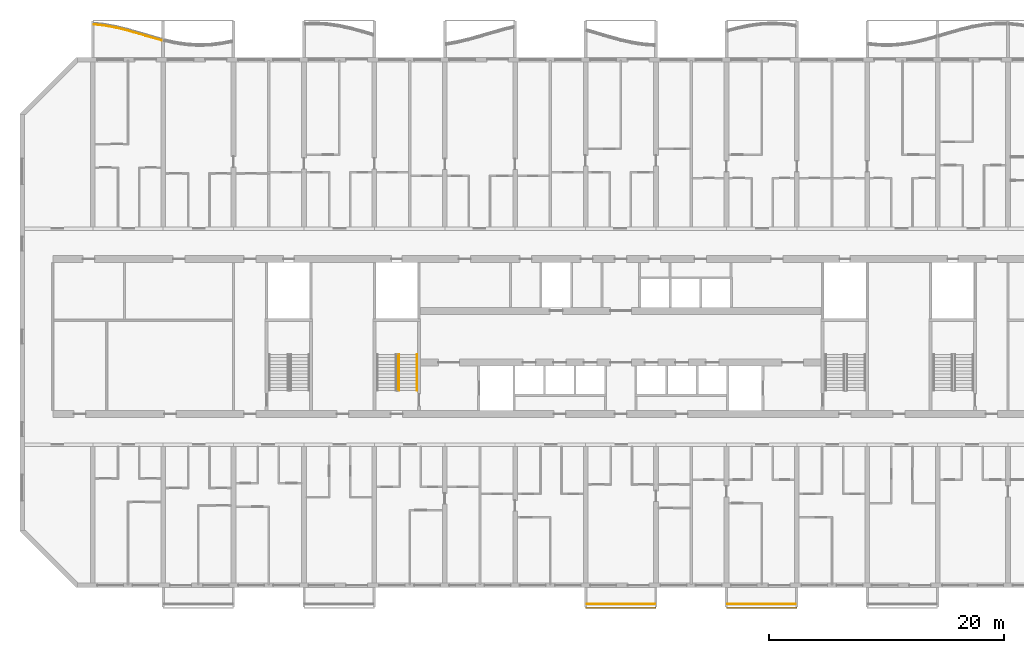
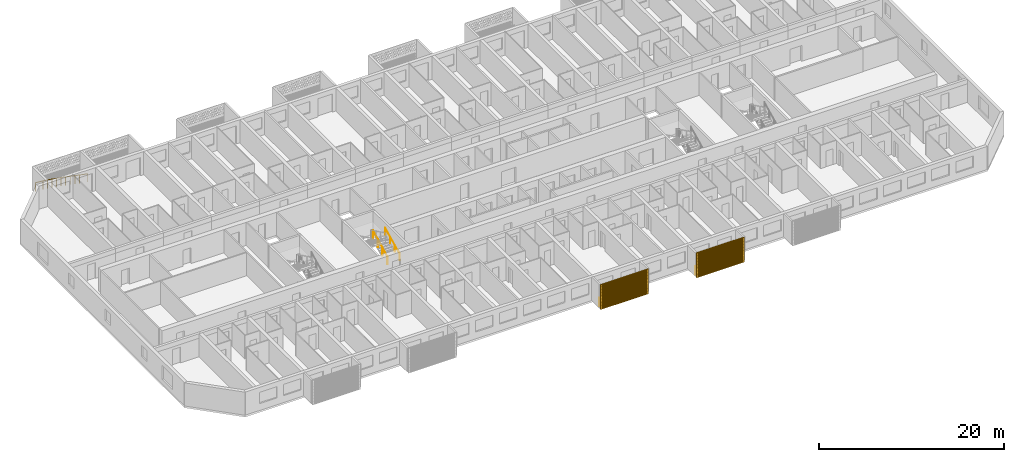
# One storey, part 20 of 40: 5 railings, 2 shading devices.
"""IFC4 building model written with IfcOpenShell, lengths in metres."""

from ifc_helpers import new_model, si_unit, direction, frame, origin, origin_2d, place, context, subcontext, project, spatial, polyline, circle, outline, extrude, source, transform, mapped, material, material_profile, profile_set, type_object, element, save


model = new_model("IFC4")

# Units and contexts
model_context = context("Model", 3, precision=1e-05, world=origin(), true_north=direction((0.0, 1.0)))
body_context = subcontext(model_context, "Body", "Model", "MODEL_VIEW")
ifc_project = project(units=[si_unit("LENGTHUNIT", "METRE"), si_unit("AREAUNIT", "SQUARE_METRE"), si_unit("VOLUMEUNIT", "CUBIC_METRE"), si_unit("PLANEANGLEUNIT", "RADIAN"), si_unit("MASSUNIT", "GRAM", prefix="KILO")], contexts=[model_context])

# Site, building, storey
site_placement = place(None, origin())
site = spatial("IfcSite", under=ifc_project, at=site_placement, CompositionType="ELEMENT")
building_placement = place(site_placement, origin())
building = spatial("IfcBuilding", under=site, at=building_placement, Name="Poui Terraces", CompositionType="ELEMENT")
storey_placement = place(building_placement, frame((0.0, 0.0, 39.89990234375)))
storey = spatial("IfcBuildingStorey", under=building, at=storey_placement, Name="L10", CompositionType="ELEMENT", Elevation=39.89990234375)

# Railings
ifc_material_1 = material(Name="Painted steel fretwork", Category="steel")
railing_type_1 = type_object("IfcRailingType", Name="BALCONY GUARD 1100", PredefinedType="GUARDRAIL", material=ifc_material_1)
railing_1_placement = place(storey_placement, frame((6.125, 47.7958984375, 0.0)))
element("IfcRailing", 1, at=railing_1_placement, inside=storey, type_object=railing_type_1, Name="BALCONY GUARD", PredefinedType="GUARDRAIL", context=body_context, shape_type="SweptSolid", body=[
    extrude(circle(Radius=0.02392578125, at=origin_2d()), frame((0.0, 0.0, 1.076171875), z_axis=(0.99430915392, -0.106533123634, 0.0), x_axis=(0.106533123634, 0.99430915392, 0.0)), (0.0, 0.0, 1.0), 0.880126953125),
    extrude(circle(Radius=0.02392578125, at=origin_2d()), frame((0.875, -0.09375, 1.076171875), z_axis=(0.983390092547, -0.181504616691, 0.0), x_axis=(0.181504616691, 0.983390092547, 0.0)), (0.0, 0.0, 1.0), 1.016845703125),
    extrude(circle(Radius=0.02392578125, at=origin_2d()), frame((1.875, -0.2783203125, 1.076171875), z_axis=(0.970476070643, -0.241197421854, 0.0), x_axis=(0.241197421854, 0.970476070643, 0.0)), (0.0, 0.0, 1.0), 1.030517578125),
    extrude(circle(Radius=0.02392578125, at=origin_2d()), frame((2.875, -0.52685546875, 1.076171875), z_axis=(0.961106681232, -0.276177383743, 0.0), x_axis=(0.276177383743, 0.961106681232, 0.0)), (0.0, 0.0, 1.0), 1.04052734375),
    extrude(circle(Radius=0.02392578125, at=origin_2d()), frame((3.875, -0.814208984375, 1.076171875), z_axis=(0.958901964879, -0.283737593123, 0.0), x_axis=(0.283737593123, 0.958901964879, 0.0)), (0.0, 0.0, 1.0), 1.04296875),
    extrude(circle(Radius=0.02392578125, at=origin_2d()), frame((4.875, -1.110107421875, 1.076171875), z_axis=(0.963694902628, -0.267005870064, 0.0), x_axis=(0.267005870064, 0.963694902628, 0.0)), (0.0, 0.0, 1.0), 0.907958984375),
    extrude(circle(Radius=0.02099609375, at=origin_2d()), origin(), (0.0, 0.0, 1.0), 1.052001953125),
    extrude(circle(Radius=0.02099609375, at=origin_2d()), frame((0.875, -0.09375, 0.0)), (0.0, 0.0, 1.0), 1.052001953125),
    extrude(circle(Radius=0.02099609375, at=origin_2d()), frame((1.375, -0.18603515625, 0.0)), (0.0, 0.0, 1.0), 1.052001953125),
    extrude(circle(Radius=0.02099609375, at=origin_2d()), frame((1.875, -0.2783203125, 0.0)), (0.0, 0.0, 1.0), 1.052001953125),
    extrude(circle(Radius=0.02099609375, at=origin_2d()), frame((2.375, -0.402587890625, 0.0)), (0.0, 0.0, 1.0), 1.052001953125),
    extrude(circle(Radius=0.02099609375, at=origin_2d()), frame((2.875, -0.52685546875, 0.0)), (0.0, 0.0, 1.0), 1.052001953125),
    extrude(circle(Radius=0.02099609375, at=origin_2d()), frame((3.375, -0.67041015625, 0.0)), (0.0, 0.0, 1.0), 1.052001953125),
    extrude(circle(Radius=0.02099609375, at=origin_2d()), frame((3.875, -0.814208984375, 0.0)), (0.0, 0.0, 1.0), 1.052001953125),
    extrude(circle(Radius=0.02099609375, at=origin_2d()), frame((4.375, -0.962158203125, 0.0)), (0.0, 0.0, 1.0), 1.052001953125),
    extrude(circle(Radius=0.02099609375, at=origin_2d()), frame((4.875, -1.110107421875, 0.0)), (0.0, 0.0, 1.0), 1.052001953125),
    extrude(circle(Radius=0.02099609375, at=origin_2d()), frame((5.75, -1.3525390625, 0.0)), (0.0, 0.0, 1.0), 1.052001953125),
])
for number, where, name in (
    (2, (48.10009765625, -1.570068359375, 0.0), "BALCONY GUARD"),
    (3, (60.10009765625, -1.570068359375, 0.0), "BALCONY GUARD"),
):
    element("IfcRailing", number, at=place(storey_placement, frame(where)), inside=storey, type_object=railing_type_1, Name=name, PredefinedType="GUARDRAIL", context=body_context, shape_type="SweptSolid", body=[
        extrude(circle(Radius=0.02392578125, at=origin_2d()), frame((0.0, 0.0, 1.076171875), z_axis=(1.0, 0.0, 0.0), x_axis=(0.0, 1.0, 0.0)), (0.0, 0.0, 1.0), 5.7998046875),
        extrude(circle(Radius=0.02099609375, at=origin_2d()), origin(), (0.0, 0.0, 1.0), 1.052001953125),
        extrude(circle(Radius=0.02099609375, at=origin_2d()), frame((0.966552734375, 0.0, 0.0)), (0.0, 0.0, 1.0), 1.052001953125),
        extrude(circle(Radius=0.02099609375, at=origin_2d()), frame((1.933349609375, 0.0, 0.0)), (0.0, 0.0, 1.0), 1.052001953125),
        extrude(circle(Radius=0.02099609375, at=origin_2d()), frame((2.89990234375, 0.0, 0.0)), (0.0, 0.0, 1.0), 1.052001953125),
        extrude(circle(Radius=0.02099609375, at=origin_2d()), frame((3.866455078125, 0.0, 0.0)), (0.0, 0.0, 1.0), 1.052001953125),
        extrude(circle(Radius=0.02099609375, at=origin_2d()), frame((4.833251953125, 0.0, 0.0)), (0.0, 0.0, 1.0), 1.052001953125),
        extrude(circle(Radius=0.02099609375, at=origin_2d()), frame((5.7998046875, 0.0, 0.0)), (0.0, 0.0, 1.0), 1.052001953125),
    ])
ifc_material_2 = material(Name="Galvanised steel balustrade", Category="steel")
railing_type_2 = type_object("IfcRailingType", Name="STAIR GUARD 1100", PredefinedType="GUARDRAIL", material=ifc_material_2)
railing_2_placement = place(storey_placement, frame((32.074951171875, 16.60009765625, 0.1376953125)))
element("IfcRailing", 4, at=railing_2_placement, inside=storey, type_object=railing_type_2, Name="L10 ST-CW stair guard 1", PredefinedType="GUARDRAIL", context=body_context, shape_type="SweptSolid", body=[
    extrude(circle(Radius=0.02392578125, at=origin_2d()), frame((0.0, 0.0, 1.076171875), z_axis=(0.0, 0.897606190399, 0.440798283751), x_axis=(-1.0, 0.0, 0.0)), (0.0, 0.0, 1.0), 3.43115234375),
    extrude(circle(Radius=0.02099609375, at=origin_2d()), origin(), (0.0, 0.0, 1.0), 1.052001953125),
    extrude(circle(Radius=0.02099609375, at=origin_2d()), frame((0.0, 1.026611328125, 0.504150390625)), (0.0, 0.0, 1.0), 1.052001953125),
    extrude(circle(Radius=0.02099609375, at=origin_2d()), frame((0.0, 2.05322265625, 1.00830078125)), (0.0, 0.0, 1.0), 1.052001953125),
    extrude(circle(Radius=0.02099609375, at=origin_2d()), frame((0.0, 3.079833984375, 1.512451171875)), (0.0, 0.0, 1.0), 1.052001953125),
])
ifc_material_3 = material(Name="Stainless steel handrail", Category="steel")
railing_type_3 = type_object("IfcRailingType", Name="STAIR HANDRAIL 900", PredefinedType="HANDRAIL", material=ifc_material_3)
railing_3_placement = place(storey_placement, frame((33.625, 16.60009765625, 0.1376953125)))
element("IfcRailing", 5, at=railing_3_placement, inside=storey, type_object=railing_type_3, Name="L10 ST-CW stair handrail 1", PredefinedType="HANDRAIL", context=body_context, shape_type="SweptSolid", body=[
    extrude(circle(Radius=0.02392578125, at=origin_2d()), frame((0.0, 0.0, 0.8759765625), z_axis=(0.0, 0.897606190399, 0.440798283751), x_axis=(-1.0, 0.0, 0.0)), (0.0, 0.0, 1.0), 3.43115234375),
    extrude(circle(Radius=0.02099609375, at=origin_2d()), origin(), (0.0, 0.0, 1.0), 0.851806640625),
    extrude(circle(Radius=0.02099609375, at=origin_2d()), frame((0.0, 1.026611328125, 0.504150390625)), (0.0, 0.0, 1.0), 0.851806640625),
    extrude(circle(Radius=0.02099609375, at=origin_2d()), frame((0.0, 2.05322265625, 1.00830078125)), (0.0, 0.0, 1.0), 0.851806640625),
    extrude(circle(Radius=0.02099609375, at=origin_2d()), frame((0.0, 3.079833984375, 1.512451171875)), (0.0, 0.0, 1.0), 0.851806640625),
])

# Shading devices
ifc_material_4 = material(Name="Aluminium louvre", Category="aluminium")
ifc_material_profile = material_profile(ifc_material_4, outline(polyline([(-3.0, -1.64990234375), (3.0, -1.64990234375), (3.0, 1.64990234375), (-3.0, 1.64990234375), (-3.0, -1.64990234375)]), holes=[polyline([(-2.800048828125, -1.530029296875), (2.800048828125, -1.530029296875), (2.800048828125, -1.469970703125), (-2.800048828125, -1.469970703125), (-2.800048828125, -1.530029296875)]), polyline([(-2.800048828125, -1.429931640625), (2.800048828125, -1.429931640625), (2.800048828125, -1.3701171875), (-2.800048828125, -1.3701171875), (-2.800048828125, -1.429931640625)]), polyline([(-2.800048828125, -1.330078125), (2.800048828125, -1.330078125), (2.800048828125, -1.27001953125), (-2.800048828125, -1.27001953125), (-2.800048828125, -1.330078125)]), polyline([(-2.800048828125, -1.22998046875), (2.800048828125, -1.22998046875), (2.800048828125, -1.169921875), (-2.800048828125, -1.169921875), (-2.800048828125, -1.22998046875)]), polyline([(-2.800048828125, -1.1298828125), (2.800048828125, -1.1298828125), (2.800048828125, -1.070068359375), (-2.800048828125, -1.070068359375), (-2.800048828125, -1.1298828125)]), polyline([(-2.800048828125, -1.030029296875), (2.800048828125, -1.030029296875), (2.800048828125, -0.969970703125), (-2.800048828125, -0.969970703125), (-2.800048828125, -1.030029296875)]), polyline([(-2.800048828125, -0.929931640625), (2.800048828125, -0.929931640625), (2.800048828125, -0.8701171875), (-2.800048828125, -0.8701171875), (-2.800048828125, -0.929931640625)]), polyline([(-2.800048828125, -0.830078125), (2.800048828125, -0.830078125), (2.800048828125, -0.77001953125), (-2.800048828125, -0.77001953125), (-2.800048828125, -0.830078125)]), polyline([(-2.800048828125, -0.72998046875), (2.800048828125, -0.72998046875), (2.800048828125, -0.669921875), (-2.800048828125, -0.669921875), (-2.800048828125, -0.72998046875)]), polyline([(-2.800048828125, -0.6298828125), (2.800048828125, -0.6298828125), (2.800048828125, -0.570068359375), (-2.800048828125, -0.570068359375), (-2.800048828125, -0.6298828125)]), polyline([(-2.800048828125, -0.530029296875), (2.800048828125, -0.530029296875), (2.800048828125, -0.469970703125), (-2.800048828125, -0.469970703125), (-2.800048828125, -0.530029296875)]), polyline([(-2.800048828125, -0.429931640625), (2.800048828125, -0.429931640625), (2.800048828125, -0.3701171875), (-2.800048828125, -0.3701171875), (-2.800048828125, -0.429931640625)]), polyline([(-2.800048828125, -0.330078125), (2.800048828125, -0.330078125), (2.800048828125, -0.27001953125), (-2.800048828125, -0.27001953125), (-2.800048828125, -0.330078125)]), polyline([(-2.800048828125, -0.22998046875), (2.800048828125, -0.22998046875), (2.800048828125, -0.169921875), (-2.800048828125, -0.169921875), (-2.800048828125, -0.22998046875)]), polyline([(-2.800048828125, -0.1298828125), (2.800048828125, -0.1298828125), (2.800048828125, -0.070068359375), (-2.800048828125, -0.070068359375), (-2.800048828125, -0.1298828125)]), polyline([(-2.800048828125, -0.030029296875), (2.800048828125, -0.030029296875), (2.800048828125, 0.030029296875), (-2.800048828125, 0.030029296875), (-2.800048828125, -0.030029296875)]), polyline([(-2.800048828125, 0.070068359375), (2.800048828125, 0.070068359375), (2.800048828125, 0.1298828125), (-2.800048828125, 0.1298828125), (-2.800048828125, 0.070068359375)]), polyline([(-2.800048828125, 0.169921875), (2.800048828125, 0.169921875), (2.800048828125, 0.22998046875), (-2.800048828125, 0.22998046875), (-2.800048828125, 0.169921875)]), polyline([(-2.800048828125, 0.27001953125), (2.800048828125, 0.27001953125), (2.800048828125, 0.330078125), (-2.800048828125, 0.330078125), (-2.800048828125, 0.27001953125)]), polyline([(-2.800048828125, 0.3701171875), (2.800048828125, 0.3701171875), (2.800048828125, 0.429931640625), (-2.800048828125, 0.429931640625), (-2.800048828125, 0.3701171875)]), polyline([(-2.800048828125, 0.469970703125), (2.800048828125, 0.469970703125), (2.800048828125, 0.530029296875), (-2.800048828125, 0.530029296875), (-2.800048828125, 0.469970703125)]), polyline([(-2.800048828125, 0.570068359375), (2.800048828125, 0.570068359375), (2.800048828125, 0.6298828125), (-2.800048828125, 0.6298828125), (-2.800048828125, 0.570068359375)]), polyline([(-2.800048828125, 0.669921875), (2.800048828125, 0.669921875), (2.800048828125, 0.72998046875), (-2.800048828125, 0.72998046875), (-2.800048828125, 0.669921875)]), polyline([(-2.800048828125, 0.77001953125), (2.800048828125, 0.77001953125), (2.800048828125, 0.830078125), (-2.800048828125, 0.830078125), (-2.800048828125, 0.77001953125)]), polyline([(-2.800048828125, 0.8701171875), (2.800048828125, 0.8701171875), (2.800048828125, 0.929931640625), (-2.800048828125, 0.929931640625), (-2.800048828125, 0.8701171875)]), polyline([(-2.800048828125, 0.969970703125), (2.800048828125, 0.969970703125), (2.800048828125, 1.030029296875), (-2.800048828125, 1.030029296875), (-2.800048828125, 0.969970703125)]), polyline([(-2.800048828125, 1.070068359375), (2.800048828125, 1.070068359375), (2.800048828125, 1.1298828125), (-2.800048828125, 1.1298828125), (-2.800048828125, 1.070068359375)]), polyline([(-2.800048828125, 1.169921875), (2.800048828125, 1.169921875), (2.800048828125, 1.22998046875), (-2.800048828125, 1.22998046875), (-2.800048828125, 1.169921875)]), polyline([(-2.800048828125, 1.27001953125), (2.800048828125, 1.27001953125), (2.800048828125, 1.330078125), (-2.800048828125, 1.330078125), (-2.800048828125, 1.27001953125)]), polyline([(-2.800048828125, 1.3701171875), (2.800048828125, 1.3701171875), (2.800048828125, 1.429931640625), (-2.800048828125, 1.429931640625), (-2.800048828125, 1.3701171875)]), polyline([(-2.800048828125, 1.469970703125), (2.800048828125, 1.469970703125), (2.800048828125, 1.530029296875), (-2.800048828125, 1.530029296875), (-2.800048828125, 1.469970703125)])]), Name="JALOUSIE LOUVRE SHUTTER 6000X3300")
ifc_profile_set = profile_set([ifc_material_profile], Name="Aluminium louvre")
shading_device_type = type_object("IfcShadingDeviceType", Name="JALOUSIE LOUVRE SHUTTER 6000X3300", PredefinedType="JALOUSIE", material=ifc_profile_set)
shared_shape = source(origin(), body_context, "Body", "SweptSolid", [
    extrude(outline(polyline([(-3.0, -1.64990234375), (3.0, -1.64990234375), (3.0, 1.64990234375), (-3.0, 1.64990234375), (-3.0, -1.64990234375)]), holes=[polyline([(-2.800048828125, -1.530029296875), (2.800048828125, -1.530029296875), (2.800048828125, -1.469970703125), (-2.800048828125, -1.469970703125), (-2.800048828125, -1.530029296875)]), polyline([(-2.800048828125, -1.429931640625), (2.800048828125, -1.429931640625), (2.800048828125, -1.3701171875), (-2.800048828125, -1.3701171875), (-2.800048828125, -1.429931640625)]), polyline([(-2.800048828125, -1.330078125), (2.800048828125, -1.330078125), (2.800048828125, -1.27001953125), (-2.800048828125, -1.27001953125), (-2.800048828125, -1.330078125)]), polyline([(-2.800048828125, -1.22998046875), (2.800048828125, -1.22998046875), (2.800048828125, -1.169921875), (-2.800048828125, -1.169921875), (-2.800048828125, -1.22998046875)]), polyline([(-2.800048828125, -1.1298828125), (2.800048828125, -1.1298828125), (2.800048828125, -1.070068359375), (-2.800048828125, -1.070068359375), (-2.800048828125, -1.1298828125)]), polyline([(-2.800048828125, -1.030029296875), (2.800048828125, -1.030029296875), (2.800048828125, -0.969970703125), (-2.800048828125, -0.969970703125), (-2.800048828125, -1.030029296875)]), polyline([(-2.800048828125, -0.929931640625), (2.800048828125, -0.929931640625), (2.800048828125, -0.8701171875), (-2.800048828125, -0.8701171875), (-2.800048828125, -0.929931640625)]), polyline([(-2.800048828125, -0.830078125), (2.800048828125, -0.830078125), (2.800048828125, -0.77001953125), (-2.800048828125, -0.77001953125), (-2.800048828125, -0.830078125)]), polyline([(-2.800048828125, -0.72998046875), (2.800048828125, -0.72998046875), (2.800048828125, -0.669921875), (-2.800048828125, -0.669921875), (-2.800048828125, -0.72998046875)]), polyline([(-2.800048828125, -0.6298828125), (2.800048828125, -0.6298828125), (2.800048828125, -0.570068359375), (-2.800048828125, -0.570068359375), (-2.800048828125, -0.6298828125)]), polyline([(-2.800048828125, -0.530029296875), (2.800048828125, -0.530029296875), (2.800048828125, -0.469970703125), (-2.800048828125, -0.469970703125), (-2.800048828125, -0.530029296875)]), polyline([(-2.800048828125, -0.429931640625), (2.800048828125, -0.429931640625), (2.800048828125, -0.3701171875), (-2.800048828125, -0.3701171875), (-2.800048828125, -0.429931640625)]), polyline([(-2.800048828125, -0.330078125), (2.800048828125, -0.330078125), (2.800048828125, -0.27001953125), (-2.800048828125, -0.27001953125), (-2.800048828125, -0.330078125)]), polyline([(-2.800048828125, -0.22998046875), (2.800048828125, -0.22998046875), (2.800048828125, -0.169921875), (-2.800048828125, -0.169921875), (-2.800048828125, -0.22998046875)]), polyline([(-2.800048828125, -0.1298828125), (2.800048828125, -0.1298828125), (2.800048828125, -0.070068359375), (-2.800048828125, -0.070068359375), (-2.800048828125, -0.1298828125)]), polyline([(-2.800048828125, -0.030029296875), (2.800048828125, -0.030029296875), (2.800048828125, 0.030029296875), (-2.800048828125, 0.030029296875), (-2.800048828125, -0.030029296875)]), polyline([(-2.800048828125, 0.070068359375), (2.800048828125, 0.070068359375), (2.800048828125, 0.1298828125), (-2.800048828125, 0.1298828125), (-2.800048828125, 0.070068359375)]), polyline([(-2.800048828125, 0.169921875), (2.800048828125, 0.169921875), (2.800048828125, 0.22998046875), (-2.800048828125, 0.22998046875), (-2.800048828125, 0.169921875)]), polyline([(-2.800048828125, 0.27001953125), (2.800048828125, 0.27001953125), (2.800048828125, 0.330078125), (-2.800048828125, 0.330078125), (-2.800048828125, 0.27001953125)]), polyline([(-2.800048828125, 0.3701171875), (2.800048828125, 0.3701171875), (2.800048828125, 0.429931640625), (-2.800048828125, 0.429931640625), (-2.800048828125, 0.3701171875)]), polyline([(-2.800048828125, 0.469970703125), (2.800048828125, 0.469970703125), (2.800048828125, 0.530029296875), (-2.800048828125, 0.530029296875), (-2.800048828125, 0.469970703125)]), polyline([(-2.800048828125, 0.570068359375), (2.800048828125, 0.570068359375), (2.800048828125, 0.6298828125), (-2.800048828125, 0.6298828125), (-2.800048828125, 0.570068359375)]), polyline([(-2.800048828125, 0.669921875), (2.800048828125, 0.669921875), (2.800048828125, 0.72998046875), (-2.800048828125, 0.72998046875), (-2.800048828125, 0.669921875)]), polyline([(-2.800048828125, 0.77001953125), (2.800048828125, 0.77001953125), (2.800048828125, 0.830078125), (-2.800048828125, 0.830078125), (-2.800048828125, 0.77001953125)]), polyline([(-2.800048828125, 0.8701171875), (2.800048828125, 0.8701171875), (2.800048828125, 0.929931640625), (-2.800048828125, 0.929931640625), (-2.800048828125, 0.8701171875)]), polyline([(-2.800048828125, 0.969970703125), (2.800048828125, 0.969970703125), (2.800048828125, 1.030029296875), (-2.800048828125, 1.030029296875), (-2.800048828125, 0.969970703125)]), polyline([(-2.800048828125, 1.070068359375), (2.800048828125, 1.070068359375), (2.800048828125, 1.1298828125), (-2.800048828125, 1.1298828125), (-2.800048828125, 1.070068359375)]), polyline([(-2.800048828125, 1.169921875), (2.800048828125, 1.169921875), (2.800048828125, 1.22998046875), (-2.800048828125, 1.22998046875), (-2.800048828125, 1.169921875)]), polyline([(-2.800048828125, 1.27001953125), (2.800048828125, 1.27001953125), (2.800048828125, 1.330078125), (-2.800048828125, 1.330078125), (-2.800048828125, 1.27001953125)]), polyline([(-2.800048828125, 1.3701171875), (2.800048828125, 1.3701171875), (2.800048828125, 1.429931640625), (-2.800048828125, 1.429931640625), (-2.800048828125, 1.3701171875)]), polyline([(-2.800048828125, 1.469970703125), (2.800048828125, 1.469970703125), (2.800048828125, 1.530029296875), (-2.800048828125, 1.530029296875), (-2.800048828125, 1.469970703125)])]), origin(), (0.0, 0.0, 1.0), 0.099853515625),
])
for number, where, z_axis, x_axis, name in (
    (6, (51.0, -1.85009765625, 1.4501953125), (0.0, -1.0, 0.0), (1.0, 0.0, 0.0), "JALOUSIE LOUVRE SHUTTER"),
    (7, (63.0, -1.85009765625, 1.4501953125), (0.0, -1.0, 0.0), (1.0, 0.0, 0.0), "JALOUSIE LOUVRE SHUTTER"),
):
    element("IfcShadingDevice", number, at=place(storey_placement, frame(where, z_axis=z_axis, x_axis=x_axis)), inside=storey, type_object=shading_device_type, Name=name, PredefinedType="JALOUSIE", context=body_context, shape_type="MappedRepresentation", body=[
        mapped(shared_shape, transform((0.0, 0.0, 0.0))),
    ])

save(model, "model.ifc")
